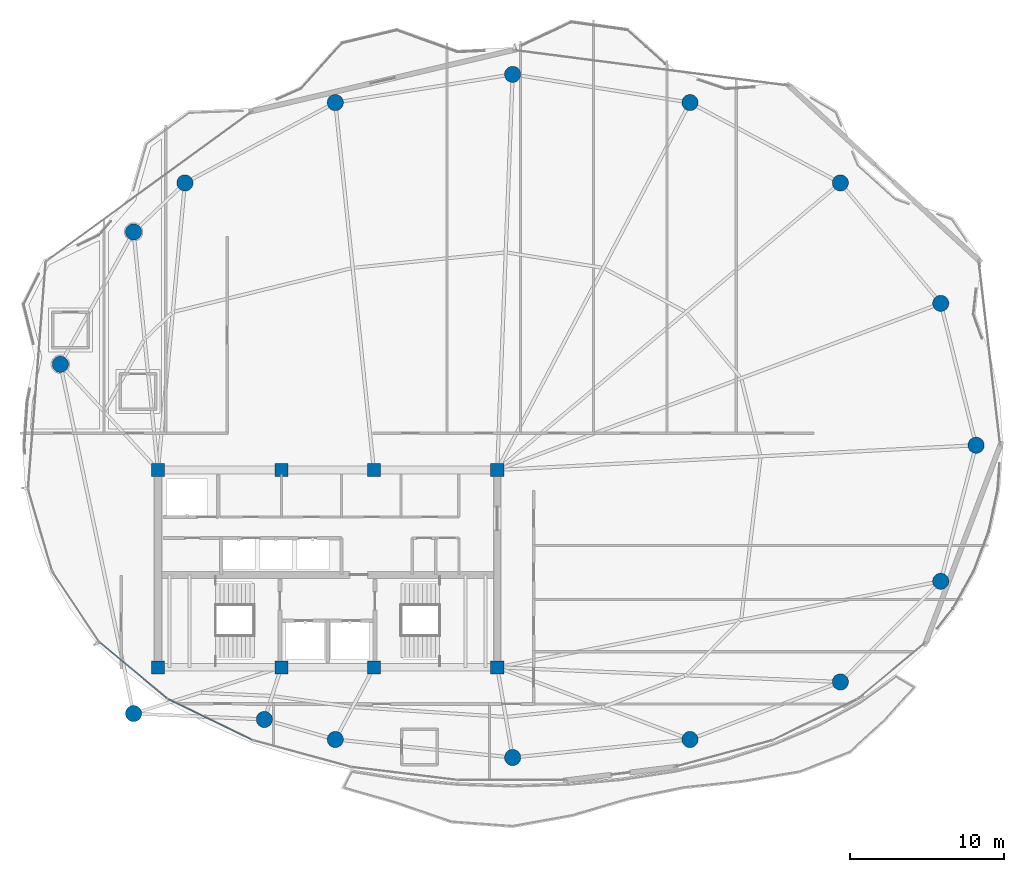
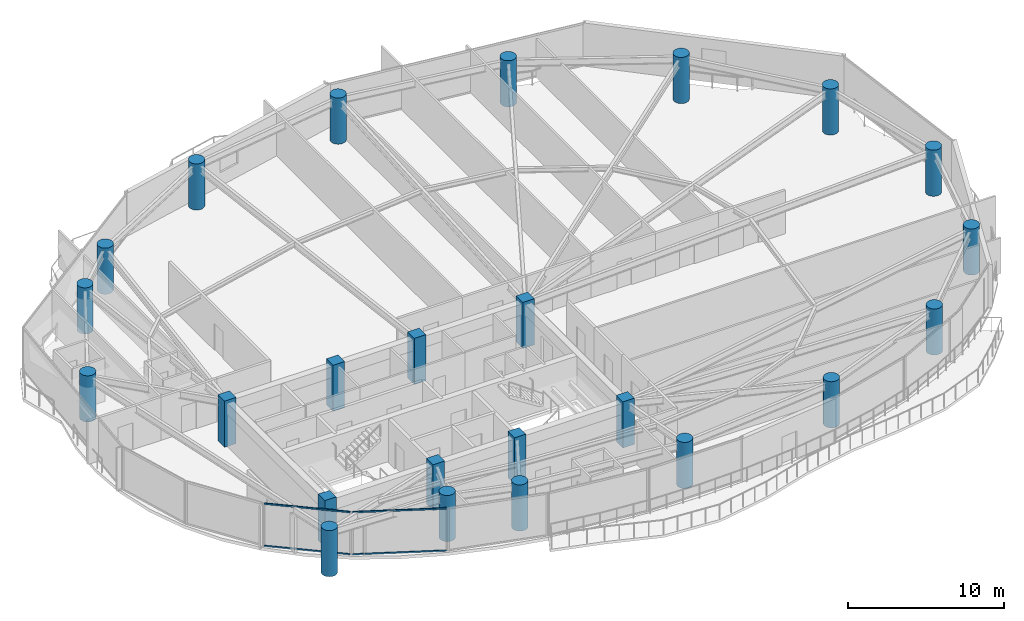
# One storey, part 1 of 31: 24 columns, 4 members, 2 elements without a shape of their own.
"""IFC4 building model written with IfcOpenShell, lengths in metres."""

from ifc_helpers import new_model, si_unit, direction, frame, origin, origin_2d, place, context, subcontext, project, spatial, rectangle, hollow_rectangle, circle, extrude, material, layer, layer_set, material_profile, profile_set, type_object, element, aggregate, save


model = new_model("IFC4")

# Units and contexts
model_context = context("Model", 3, precision=1e-05, world=origin(), true_north=direction((0.0, 1.0)))
body_context = subcontext(model_context, "Body", "Model", "MODEL_VIEW")
ifc_project = project(units=[si_unit("LENGTHUNIT", "METRE"), si_unit("AREAUNIT", "SQUARE_METRE"), si_unit("VOLUMEUNIT", "CUBIC_METRE"), si_unit("PLANEANGLEUNIT", "RADIAN"), si_unit("MASSUNIT", "GRAM", prefix="KILO")], contexts=[model_context])

# Site, building, storey
site_placement = place(None, origin())
site = spatial("IfcSite", under=ifc_project, at=site_placement, CompositionType="ELEMENT")
building_placement = place(site_placement, origin())
building = spatial("IfcBuilding", under=site, at=building_placement, Name="Kazevale Care Tower and Concert Hall", CompositionType="ELEMENT")
storey_placement = place(building_placement, frame((0.0, 0.0, 206.39990234375)))
storey = spatial("IfcBuildingStorey", under=building, at=storey_placement, Name="L54", CompositionType="ELEMENT", Elevation=206.39990234375)

# Columns
ifc_material_1 = material(Name="Concrete C50", Category="concrete")
ifc_material_profile_1 = material_profile(ifc_material_1, rectangle(XDim=0.85009765625, YDim=0.85009765625, at=origin_2d()), Name="RC-SQ850")
ifc_profile_set_1 = profile_set([ifc_material_profile_1], Name="Concrete C50")
column_type_1 = type_object("IfcColumnType", Name="Core Column SQ850 C50", PredefinedType="COLUMN", material=ifc_profile_set_1)
for number, where, z_axis, x_axis, name in (
    (1, (22.0, 23.60009765625, 0.0), (0.0, 0.0, 1.0), (1.0, 0.0, 0.0), "col:L54:CC-01"),
    (2, (30.0, 23.60009765625, 0.0), (0.0, 0.0, 1.0), (1.0, 0.0, 0.0), "col:L54:CC-02"),
    (3, (36.0, 23.60009765625, 0.0), (0.0, 0.0, 1.0), (1.0, 0.0, 0.0), "col:L54:CC-03"),
    (4, (44.0, 23.60009765625, 0.0), (0.0, 0.0, 1.0), (1.0, 0.0, 0.0), "col:L54:CC-04"),
    (5, (44.0, 36.39990234375, 0.0), (0.0, 0.0, 1.0), (1.0, 0.0, 0.0), "col:L54:CC-05"),
    (6, (36.0, 36.39990234375, 0.0), (0.0, 0.0, 1.0), (1.0, 0.0, 0.0), "col:L54:CC-06"),
    (7, (30.0, 36.39990234375, 0.0), (0.0, 0.0, 1.0), (1.0, 0.0, 0.0), "col:L54:CC-07"),
    (8, (22.0, 36.39990234375, 0.0), (0.0, 0.0, 1.0), (1.0, 0.0, 0.0), "col:L54:CC-08"),
):
    element("IfcColumn", number, at=place(storey_placement, frame(where, z_axis=z_axis, x_axis=x_axis)), inside=storey, type_object=column_type_1, Name=name, PredefinedType="COLUMN", context=body_context, shape_type="SweptSolid", body=[
        extrude(rectangle(XDim=0.85009765625, YDim=0.85009765625, at=origin_2d()), origin(), (0.0, 0.0, 1.0), 3.60009765625),
    ])
ifc_material_profile_2 = material_profile(ifc_material_1, circle(Radius=0.52490234375, at=origin_2d()), Name="RC-CIR1050")
ifc_profile_set_2 = profile_set([ifc_material_profile_2], Name="Concrete C50")
column_type_2 = type_object("IfcColumnType", Name="Perimeter Column CIR1050 C50", PredefinedType="COLUMN", material=ifc_profile_set_2)
for number, where, z_axis, x_axis, name in (
    (9, (75.050048828125, 38.0, 0.0), (0.0, 0.0, 1.0), (1.0, 0.0, 0.0), "col:L54:PC-01"),
    (10, (72.760009765625, 47.199951171875, 0.0), (0.0, 0.0, 1.0), (1.0, 0.0, 0.0), "col:L54:PC-02"),
    (11, (66.25, 55.010009765625, 0.0), (0.0, 0.0, 1.0), (1.0, 0.0, 0.0), "col:L54:PC-03"),
    (12, (56.5, 60.219970703125, 0.0), (0.0, 0.0, 1.0), (1.0, 0.0, 0.0), "col:L54:PC-04"),
    (13, (45.0, 62.050048828125, 0.0), (0.0, 0.0, 1.0), (1.0, 0.0, 0.0), "col:L54:PC-05"),
    (14, (33.5, 60.219970703125, 0.0), (0.0, 0.0, 1.0), (1.0, 0.0, 0.0), "col:L54:PC-06"),
    (15, (23.75, 55.010009765625, 0.0), (0.0, 0.0, 1.0), (1.0, 0.0, 0.0), "col:L54:PC-07"),
    (16, (20.419921875, 51.830078125, 0.0), (0.0, 0.0, 1.0), (1.0, 0.0, 0.0), "col:L54:PC-08"),
    (17, (15.669921875, 43.25, 0.0), (0.0, 0.0, 1.0), (1.0, 0.0, 0.0), "col:L54:PC-09"),
    (18, (20.419921875, 20.60009765625, 0.0), (0.0, 0.0, 1.0), (1.0, 0.0, 0.0), "col:L54:PC-10"),
    (19, (28.89990234375, 20.219970703125, 0.0), (0.0, 0.0, 1.0), (1.0, 0.0, 0.0), "col:L54:PC-11"),
    (20, (33.5, 18.919921875, 0.0), (0.0, 0.0, 1.0), (1.0, 0.0, 0.0), "col:L54:PC-12"),
    (21, (45.0, 17.75, 0.0), (0.0, 0.0, 1.0), (1.0, 0.0, 0.0), "col:L54:PC-13"),
    (22, (56.5, 18.919921875, 0.0), (0.0, 0.0, 1.0), (1.0, 0.0, 0.0), "col:L54:PC-14"),
    (23, (66.25, 22.64990234375, 0.0), (0.0, 0.0, 1.0), (1.0, 0.0, 0.0), "col:L54:PC-15"),
    (24, (72.760009765625, 29.179931640625, 0.0), (0.0, 0.0, 1.0), (1.0, 0.0, 0.0), "col:L54:PC-16"),
):
    element("IfcColumn", number, at=place(storey_placement, frame(where, z_axis=z_axis, x_axis=x_axis)), inside=storey, type_object=column_type_2, Name=name, PredefinedType="COLUMN", context=body_context, shape_type="SweptSolid", body=[
        extrude(circle(Radius=0.52490234375, at=origin_2d()), origin(), (0.0, 0.0, 1.0), 3.60009765625),
    ])

# Curtain wall, members
ifc_material_2 = material(Name="Aluminium 6063-T6 and Low-E Glass", Category="aluminium")
ifc_layer = layer(ifc_material_2, 0.179931640625)
ifc_layer_set = layer_set([ifc_layer], Name="Aluminium 6063-T6 and Low-E Glass")
curtain_wall_type = type_object("IfcCurtainWallType", Name="Sheltered Concave Balcony Curtain Wall CW-5", PredefinedType="NOTDEFINED", material=ifc_layer_set)
curtain_wall_1_placement = place(storey_placement, origin())
curtain_wall_1 = element("IfcCurtainWall", 25, at=curtain_wall_1_placement, inside=storey, type_object=curtain_wall_type, Name="cw:L54:f09", PredefinedType="NOTDEFINED")
ifc_material_3 = material(Name="Aluminium 6063-T6", Category="aluminium")
ifc_material_profile_3 = material_profile(ifc_material_3, hollow_rectangle(XDim=0.074951171875, YDim=0.1201171875, WallThickness=0.00390625, at=origin_2d()), Name="ALU75x120x4")
ifc_profile_set_3 = profile_set([ifc_material_profile_3], Name="Aluminium 6063-T6")
member_type = type_object("IfcMemberType", Name="CW-5 Transom ALU75x120x4", PredefinedType="USERDEFINED", material=ifc_profile_set_3)
member_1_placement = place(storey_placement, frame((28.07666015625, 18.90576171875, 0.03759765625), z_axis=(-0.899342308406, 0.437245254189, 0.0), x_axis=(-0.437245254189, -0.899342308406, 0.0)))
member_1 = element("IfcMember", 26, at=member_1_placement, type_object=member_type, Name="CW-5 transom 1.1", ObjectType="TRANSOM", PredefinedType="USERDEFINED", context=body_context, shape_type="SweptSolid", body=[
    extrude(hollow_rectangle(XDim=0.074951171875, YDim=0.1201171875, WallThickness=0.00390625, at=origin_2d()), origin(), (0.0, 0.0, 1.0), 6.00244140625),
])
member_2_placement = place(storey_placement, frame((28.07666015625, 18.90576171875, 3.322509765625), z_axis=(-0.899342308406, 0.437245254189, 0.0), x_axis=(-0.437245254189, -0.899342308406, 0.0)))
member_2 = element("IfcMember", 27, at=member_2_placement, type_object=member_type, Name="CW-5 transom 1.2", ObjectType="TRANSOM", PredefinedType="USERDEFINED", context=body_context, shape_type="SweptSolid", body=[
    extrude(hollow_rectangle(XDim=0.074951171875, YDim=0.1201171875, WallThickness=0.00390625, at=origin_2d()), origin(), (0.0, 0.0, 1.0), 6.00244140625),
])
aggregate(curtain_wall_1, [member_1, member_2])

curtain_wall_2_placement = place(storey_placement, origin())
curtain_wall_2 = element("IfcCurtainWall", 28, at=curtain_wall_2_placement, inside=storey, type_object=curtain_wall_type, Name="cw:L54:f10", PredefinedType="NOTDEFINED")
member_3_placement = place(storey_placement, frame((22.553466796875, 21.611083984375, 0.03759765625), z_axis=(-0.768432829708, 0.639930454211, 0.0), x_axis=(-0.639930454211, -0.768432829708, 0.0)))
member_3 = element("IfcMember", 29, at=member_3_placement, type_object=member_type, Name="CW-5 transom 1.1", ObjectType="TRANSOM", PredefinedType="USERDEFINED", context=body_context, shape_type="SweptSolid", body=[
    extrude(hollow_rectangle(XDim=0.074951171875, YDim=0.1201171875, WallThickness=0.00390625, at=origin_2d()), origin(), (0.0, 0.0, 1.0), 5.580078125),
])
member_4_placement = place(storey_placement, frame((22.553466796875, 21.611083984375, 3.322509765625), z_axis=(-0.768432829708, 0.639930454211, 0.0), x_axis=(-0.639930454211, -0.768432829708, 0.0)))
member_4 = element("IfcMember", 30, at=member_4_placement, type_object=member_type, Name="CW-5 transom 1.2", ObjectType="TRANSOM", PredefinedType="USERDEFINED", context=body_context, shape_type="SweptSolid", body=[
    extrude(hollow_rectangle(XDim=0.074951171875, YDim=0.1201171875, WallThickness=0.00390625, at=origin_2d()), origin(), (0.0, 0.0, 1.0), 5.580078125),
])
aggregate(curtain_wall_2, [member_3, member_4])

save(model, "model.ifc")
